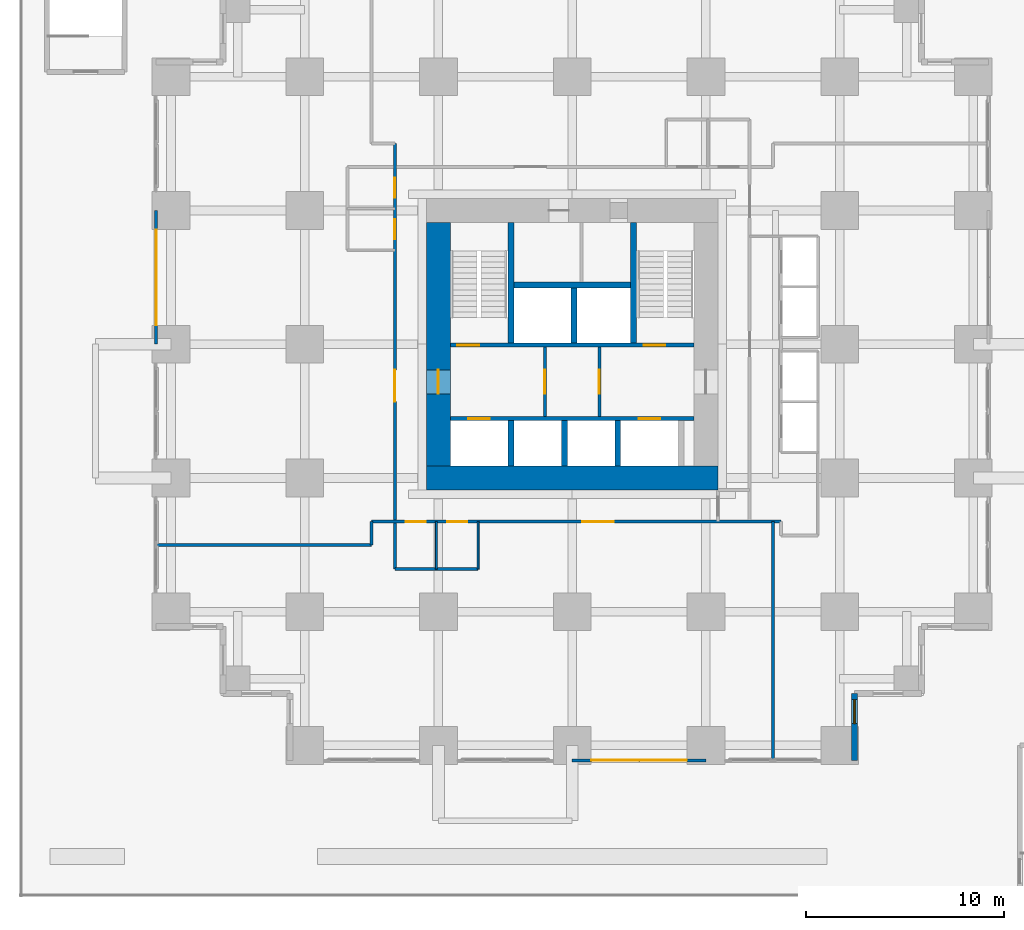
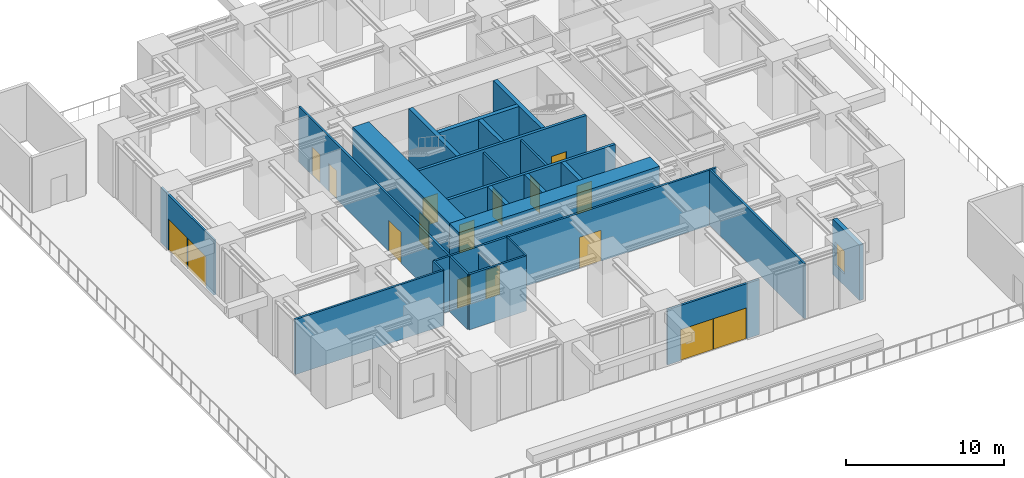
# One storey, part 5 of 9: 24 walls, 17 doors, 1 window, 18 openings.
"""IFC4 building model written with IfcOpenShell, lengths in metres."""

from ifc_helpers import new_model, si_unit, direction, frame, frame_2d, origin, place, context, subcontext, project, spatial, rectangle, extrude, material, layer, layer_set, type_object, element, fill, save


model = new_model("IFC4")

# Units and contexts
model_context = context("Model", 3, precision=1e-05, world=origin(), true_north=direction((0.0, 1.0)))
body_context = subcontext(model_context, "Body", "Model", "MODEL_VIEW")
ifc_project = project(units=[si_unit("LENGTHUNIT", "METRE"), si_unit("AREAUNIT", "SQUARE_METRE"), si_unit("VOLUMEUNIT", "CUBIC_METRE"), si_unit("PLANEANGLEUNIT", "RADIAN"), si_unit("MASSUNIT", "GRAM", prefix="KILO")], contexts=[model_context])

# Site, building, storey
site_placement = place(None, origin())
site = spatial("IfcSite", under=ifc_project, at=site_placement, CompositionType="ELEMENT")
building_placement = place(site_placement, origin())
building = spatial("IfcBuilding", under=site, at=building_placement, Name="Nyansa Garden Tower", CompositionType="ELEMENT")
storey_placement = place(building_placement, frame((0.0, 0.0, 13.5)))
storey = spatial("IfcBuildingStorey", under=building, at=storey_placement, Name="L03", CompositionType="ELEMENT", Elevation=13.5)

# Wall, openings, doors
ifc_material_1 = material(Name="Black aluminium framed glazed screen", Category="aluminium")
ifc_layer_1 = layer(ifc_material_1, 0.14990234375)
ifc_layer_set_1 = layer_set([ifc_layer_1], Name="Balcony screen wall BW150")
wall_type_1 = type_object("IfcWallType", Name="Balcony screen wall BW150", PredefinedType="SOLIDWALL", material=ifc_layer_set_1)
wall_1_placement = place(storey_placement, frame((-0.75, 20.25, 0.0), z_axis=(0.0, 0.0, 1.0), x_axis=(0.0, 1.0, 0.0)))
wall_1 = element("IfcWall", 1, at=wall_1_placement, inside=storey, type_object=wall_type_1, Name="Glazed screen wall L03 W", PredefinedType="SOLIDWALL", context=body_context, shape_type="SweptSolid", body=[
    extrude(rectangle(XDim=6.75, YDim=0.14990234375, at=frame_2d((3.375, 0.0))), origin(), (0.0, 0.0, 1.0), 4.27490234375),
])
opening_1_placement = place(wall_1_placement, frame((0.96240234375, 0.0, 0.0)))
opening_1 = element("IfcOpeningElement", 2, at=opening_1_placement, cuts=wall_1, Name="Opening D21", PredefinedType="OPENING", context=body_context, shape_type="SweptSolid", body=[
    extrude(rectangle(XDim=2.39990234375, YDim=2.39990234375, at=frame_2d((1.199951171875, 1.199951171875))), frame((0.0, 0.0849609375, 0.0), z_axis=(0.0, -1.0, 0.0), x_axis=(1.0, 0.0, 0.0)), (0.0, 0.0, 1.0), 0.169921875),
])
opening_2_placement = place(wall_1_placement, frame((3.387451171875, 0.0, 0.0)))
opening_2 = element("IfcOpeningElement", 3, at=opening_2_placement, cuts=wall_1, Name="Opening D21", PredefinedType="OPENING", context=body_context, shape_type="SweptSolid", body=[
    extrude(rectangle(XDim=2.39990234375, YDim=2.39990234375, at=frame_2d((1.199951171875, 1.199951171875))), frame((0.0, 0.0849609375, 0.0), z_axis=(0.0, -1.0, 0.0), x_axis=(1.0, 0.0, 0.0)), (0.0, 0.0, 1.0), 0.169921875),
])
ifc_material_2 = material(Name="Black aluminium framed glazed sliding door", Category="aluminium")
door_type_1 = type_object("IfcDoorType", Name="Terrace sliding door D21 2400x2400", OperationType="SLIDING_TO_LEFT", PredefinedType="DOOR", material=ifc_material_2)
door_1_placement = place(opening_1_placement, origin())
door_1 = element("IfcDoor", 4, at=door_1_placement, inside=storey, type_object=door_type_1, Name="Terrace door L03", OperationType="SLIDING_TO_LEFT", OverallHeight=2.39990234375, OverallWidth=2.39990234375, PredefinedType="DOOR", context=body_context, shape_type="SweptSolid", body=[
    extrude(rectangle(XDim=2.39990234375, YDim=2.39990234375, at=frame_2d((1.199951171875, 1.199951171875))), frame((0.0, 0.02490234375, 0.0), z_axis=(0.0, -1.0, 0.0), x_axis=(1.0, 0.0, 0.0)), (0.0, 0.0, 1.0), 0.050048828125),
])
fill(opening_1, door_1)
door_2_placement = place(opening_2_placement, origin())
door_2 = element("IfcDoor", 5, at=door_2_placement, inside=storey, type_object=door_type_1, Name="Terrace door L03", OperationType="SLIDING_TO_LEFT", OverallHeight=2.39990234375, OverallWidth=2.39990234375, PredefinedType="DOOR", context=body_context, shape_type="SweptSolid", body=[
    extrude(rectangle(XDim=2.39990234375, YDim=2.39990234375, at=frame_2d((1.199951171875, 1.199951171875))), frame((0.0, 0.02490234375, 0.0), z_axis=(0.0, -1.0, 0.0), x_axis=(1.0, 0.0, 0.0)), (0.0, 0.0, 1.0), 0.050048828125),
])
fill(opening_2, door_2)

wall_2_placement = place(storey_placement, frame((27.0, -0.75, 0.0), z_axis=(0.0, 0.0, 1.0), x_axis=(-1.0, 0.0, 0.0)))
wall_2 = element("IfcWall", 6, at=wall_2_placement, inside=storey, type_object=wall_type_1, Name="Glazed screen wall L03 S", PredefinedType="SOLIDWALL", context=body_context, shape_type="SweptSolid", body=[
    extrude(rectangle(XDim=6.75, YDim=0.14990234375, at=frame_2d((3.375, 0.0))), origin(), (0.0, 0.0, 1.0), 4.27490234375),
])
opening_3_placement = place(wall_2_placement, frame((0.96240234375, 0.0, 0.0)))
opening_3 = element("IfcOpeningElement", 7, at=opening_3_placement, cuts=wall_2, Name="Opening D21", PredefinedType="OPENING", context=body_context, shape_type="SweptSolid", body=[
    extrude(rectangle(XDim=2.39990234375, YDim=2.39990234375, at=frame_2d((1.199951171875, 1.199951171875))), frame((0.0, 0.0849609375, 0.0), z_axis=(0.0, -1.0, 0.0), x_axis=(1.0, 0.0, 0.0)), (0.0, 0.0, 1.0), 0.169921875),
])
opening_4_placement = place(wall_2_placement, frame((3.387451171875, 0.0, 0.0)))
opening_4 = element("IfcOpeningElement", 8, at=opening_4_placement, cuts=wall_2, Name="Opening D21", PredefinedType="OPENING", context=body_context, shape_type="SweptSolid", body=[
    extrude(rectangle(XDim=2.39990234375, YDim=2.39990234375, at=frame_2d((1.199951171875, 1.199951171875))), frame((0.0, 0.0849609375, 0.0), z_axis=(0.0, -1.0, 0.0), x_axis=(1.0, 0.0, 0.0)), (0.0, 0.0, 1.0), 0.169921875),
])
door_3_placement = place(opening_3_placement, origin())
door_3 = element("IfcDoor", 9, at=door_3_placement, inside=storey, type_object=door_type_1, Name="Terrace door L03", OperationType="SLIDING_TO_LEFT", OverallHeight=2.39990234375, OverallWidth=2.39990234375, PredefinedType="DOOR", context=body_context, shape_type="SweptSolid", body=[
    extrude(rectangle(XDim=2.39990234375, YDim=2.39990234375, at=frame_2d((1.199951171875, 1.199951171875))), frame((0.0, 0.02490234375, 0.0), z_axis=(0.0, -1.0, 0.0), x_axis=(1.0, 0.0, 0.0)), (0.0, 0.0, 1.0), 0.050048828125),
])
fill(opening_3, door_3)
door_4_placement = place(opening_4_placement, origin())
door_4 = element("IfcDoor", 10, at=door_4_placement, inside=storey, type_object=door_type_1, Name="Terrace door L03", OperationType="SLIDING_TO_LEFT", OverallHeight=2.39990234375, OverallWidth=2.39990234375, PredefinedType="DOOR", context=body_context, shape_type="SweptSolid", body=[
    extrude(rectangle(XDim=2.39990234375, YDim=2.39990234375, at=frame_2d((1.199951171875, 1.199951171875))), frame((0.0, 0.02490234375, 0.0), z_axis=(0.0, -1.0, 0.0), x_axis=(1.0, 0.0, 0.0)), (0.0, 0.0, 1.0), 0.050048828125),
])
fill(opening_4, door_4)

ifc_material_3 = material(Name="Concrete C70/85", Category="concrete")
ifc_layer_2 = layer(ifc_material_3, 0.199951171875)
ifc_layer_set_2 = layer_set([ifc_layer_2], Name="Core inner wall CI200")
wall_type_2 = type_object("IfcWallType", Name="Core inner wall CI200", PredefinedType="SHEAR", material=ifc_layer_set_2)
wall_3_placement = place(storey_placement, frame((14.10009765625, 16.5, 0.0), z_axis=(0.0, 0.0, 1.0), x_axis=(1.0, 0.0, 0.0)))
wall_3 = element("IfcWall", 11, at=wall_3_placement, inside=storey, type_object=wall_type_2, Name="Core inner wall L03", PredefinedType="SHEAR", context=body_context, shape_type="SweptSolid", body=[
    extrude(rectangle(XDim=12.2998046875, YDim=0.199951171875, at=frame_2d((6.14990234375, 0.0))), origin(), (0.0, 0.0, 1.0), 4.5),
])
opening_5_placement = place(wall_3_placement, frame((0.89990234375, 0.0, 0.0)))
opening_5 = element("IfcOpeningElement", 12, at=opening_5_placement, cuts=wall_3, Name="Opening LD-F", PredefinedType="OPENING", context=body_context, shape_type="SweptSolid", body=[
    extrude(rectangle(XDim=1.10009765625, YDim=2.199951171875, at=frame_2d((0.550048828125, 1.10009765625))), frame((0.0, 0.10986328125, 0.0), z_axis=(0.0, -1.0, 0.0), x_axis=(1.0, 0.0, 0.0)), (0.0, 0.0, 1.0), 0.219970703125),
])
opening_6_placement = place(wall_3_placement, frame((9.5, 0.0, 0.0)))
opening_6 = element("IfcOpeningElement", 13, at=opening_6_placement, cuts=wall_3, Name="Opening LD-F", PredefinedType="OPENING", context=body_context, shape_type="SweptSolid", body=[
    extrude(rectangle(XDim=1.10009765625, YDim=2.199951171875, at=frame_2d((0.550048828125, 1.10009765625))), frame((0.0, 0.10986328125, 0.0), z_axis=(0.0, -1.0, 0.0), x_axis=(1.0, 0.0, 0.0)), (0.0, 0.0, 1.0), 0.219970703125),
])
ifc_material_4 = material(Name="Stainless steel centre-opening landing door of the firefighting lift, EN 81-72, E 120", Category="steel")
door_type_2 = type_object("IfcDoorType", Name="Lift landing door LD-F 1100x2200", OperationType="DOUBLE_DOOR_SLIDING", PredefinedType="DOOR", material=ifc_material_4)
door_5_placement = place(opening_5_placement, origin())
door_5 = element("IfcDoor", 14, at=door_5_placement, inside=storey, type_object=door_type_2, Name="Landing door FF1", OperationType="DOUBLE_DOOR_SLIDING", OverallHeight=2.199951171875, OverallWidth=1.10009765625, PredefinedType="DOOR", context=body_context, shape_type="SweptSolid", body=[
    extrude(rectangle(XDim=1.10009765625, YDim=2.199951171875, at=frame_2d((0.550048828125, 1.10009765625))), frame((0.0, 0.02490234375, 0.0), z_axis=(0.0, -1.0, 0.0), x_axis=(1.0, 0.0, 0.0)), (0.0, 0.0, 1.0), 0.050048828125),
])
fill(opening_5, door_5)
door_6_placement = place(opening_6_placement, origin())
door_6 = element("IfcDoor", 15, at=door_6_placement, inside=storey, type_object=door_type_2, Name="Landing door FF2", OperationType="DOUBLE_DOOR_SLIDING", OverallHeight=2.199951171875, OverallWidth=1.10009765625, PredefinedType="DOOR", context=body_context, shape_type="SweptSolid", body=[
    extrude(rectangle(XDim=1.10009765625, YDim=2.199951171875, at=frame_2d((0.550048828125, 1.10009765625))), frame((0.0, 0.02490234375, 0.0), z_axis=(0.0, -1.0, 0.0), x_axis=(1.0, 0.0, 0.0)), (0.0, 0.0, 1.0), 0.050048828125),
])
fill(opening_6, door_6)

wall_4_placement = place(storey_placement, frame((14.10009765625, 20.199951171875, 0.0), z_axis=(0.0, 0.0, 1.0), x_axis=(1.0, 0.0, 0.0)))
wall_4 = element("IfcWall", 16, at=wall_4_placement, inside=storey, type_object=wall_type_2, Name="Core inner wall L03", PredefinedType="SHEAR", context=body_context, shape_type="SweptSolid", body=[
    extrude(rectangle(XDim=12.2998046875, YDim=0.199951171875, at=frame_2d((6.14990234375, 0.0))), origin(), (0.0, 0.0, 1.0), 4.5),
])
opening_7_placement = place(wall_4_placement, frame((0.35009765625, 0.0, 0.0)))
opening_7 = element("IfcOpeningElement", 17, at=opening_7_placement, cuts=wall_4, Name="Opening D05", PredefinedType="OPENING", context=body_context, shape_type="SweptSolid", body=[
    extrude(rectangle(XDim=1.10009765625, YDim=2.199951171875, at=frame_2d((0.550048828125, 1.10009765625))), frame((0.0, 0.10986328125, 0.0), z_axis=(0.0, -1.0, 0.0), x_axis=(1.0, 0.0, 0.0)), (0.0, 0.0, 1.0), 0.219970703125),
])
opening_8_placement = place(wall_4_placement, frame((9.75, 0.0, 0.0)))
opening_8 = element("IfcOpeningElement", 18, at=opening_8_placement, cuts=wall_4, Name="Opening D05", PredefinedType="OPENING", context=body_context, shape_type="SweptSolid", body=[
    extrude(rectangle(XDim=1.10009765625, YDim=2.199951171875, at=frame_2d((0.550048828125, 1.10009765625))), frame((0.0, 0.10986328125, 0.0), z_axis=(0.0, -1.0, 0.0), x_axis=(1.0, 0.0, 0.0)), (0.0, 0.0, 1.0), 0.219970703125),
])
ifc_material_5 = material(Name="Steel door, 120 minute fire resisting", Category="steel")
door_type_3 = type_object("IfcDoorType", Name="Stair door D05 1100x2200", OperationType="SINGLE_SWING_LEFT", PredefinedType="DOOR", material=ifc_material_5)
door_7_placement = place(opening_7_placement, origin())
door_7 = element("IfcDoor", 19, at=door_7_placement, inside=storey, type_object=door_type_3, Name="Stair S1 door", OperationType="SINGLE_SWING_LEFT", OverallHeight=2.199951171875, OverallWidth=1.10009765625, PredefinedType="DOOR", context=body_context, shape_type="SweptSolid", body=[
    extrude(rectangle(XDim=1.10009765625, YDim=2.199951171875, at=frame_2d((0.550048828125, 1.10009765625))), frame((0.0, 0.02490234375, 0.0), z_axis=(0.0, -1.0, 0.0), x_axis=(1.0, 0.0, 0.0)), (0.0, 0.0, 1.0), 0.050048828125),
])
fill(opening_7, door_7)
door_8_placement = place(opening_8_placement, origin())
door_8 = element("IfcDoor", 20, at=door_8_placement, inside=storey, type_object=door_type_3, Name="Stair S2 door", OperationType="SINGLE_SWING_LEFT", OverallHeight=2.199951171875, OverallWidth=1.10009765625, PredefinedType="DOOR", context=body_context, shape_type="SweptSolid", body=[
    extrude(rectangle(XDim=1.10009765625, YDim=2.199951171875, at=frame_2d((0.550048828125, 1.10009765625))), frame((0.0, 0.02490234375, 0.0), z_axis=(0.0, -1.0, 0.0), x_axis=(1.0, 0.0, 0.0)), (0.0, 0.0, 1.0), 0.050048828125),
])
fill(opening_8, door_8)

# Walls
ifc_material_6 = material(Name="Concrete C70/85", Category="concrete")
ifc_layer_3 = layer(ifc_material_6, 0.300048828125)
ifc_layer_set_3 = layer_set([ifc_layer_3], Name="Core inner wall CI300")
wall_type_3 = type_object("IfcWallType", Name="Core inner wall CI300", PredefinedType="SHEAR", material=ifc_layer_set_3)
for number, where, z_axis, x_axis, name in (
    (21, (17.14990234375, 20.300048828125, 0.0), (0.0, 0.0, 1.0), (0.0, 1.0, 0.0), "Core inner wall L03"),
    (22, (23.35009765625, 20.300048828125, 0.0), (0.0, 0.0, 1.0), (0.0, 1.0, 0.0), "Core inner wall L03"),
):
    element("IfcWall", number, at=place(storey_placement, frame(where, z_axis=z_axis, x_axis=x_axis)), inside=storey, type_object=wall_type_3, Name=name, PredefinedType="SHEAR", context=body_context, shape_type="SweptSolid", body=[
        extrude(rectangle(XDim=6.099853515625, YDim=0.300048828125, at=frame_2d((3.0498046875, 0.0))), origin(), (0.0, 0.0, 1.0), 4.5),
    ])
wall_5_placement = place(storey_placement, frame((20.35009765625, 20.300048828125, 0.0), z_axis=(0.0, 0.0, 1.0), x_axis=(0.0, 1.0, 0.0)))
element("IfcWall", 23, at=wall_5_placement, inside=storey, type_object=wall_type_3, Name="Core inner wall L03", PredefinedType="SHEAR", context=body_context, shape_type="SweptSolid", body=[
    extrude(rectangle(XDim=2.800048828125, YDim=0.300048828125, at=frame_2d((1.39990234375, 0.0))), origin(), (0.0, 0.0, 1.0), 4.5),
])
wall_6_placement = place(storey_placement, frame((17.300048828125, 23.25, 0.0), z_axis=(0.0, 0.0, 1.0), x_axis=(1.0, 0.0, 0.0)))
element("IfcWall", 24, at=wall_6_placement, inside=storey, type_object=wall_type_3, Name="Core inner wall L03", PredefinedType="SHEAR", context=body_context, shape_type="SweptSolid", body=[
    extrude(rectangle(XDim=5.89990234375, YDim=0.300048828125, at=frame_2d((2.949951171875, 0.0))), origin(), (0.0, 0.0, 1.0), 4.5),
])
for number, where, z_axis, x_axis, name in (
    (25, (17.14990234375, 14.10009765625, 0.0), (0.0, 0.0, 1.0), (0.0, 1.0, 0.0), "Core inner wall L03"),
    (26, (19.85009765625, 14.10009765625, 0.0), (0.0, 0.0, 1.0), (0.0, 1.0, 0.0), "Core inner wall L03"),
    (27, (22.550048828125, 14.10009765625, 0.0), (0.0, 0.0, 1.0), (0.0, 1.0, 0.0), "Core inner wall L03"),
):
    element("IfcWall", number, at=place(storey_placement, frame(where, z_axis=z_axis, x_axis=x_axis)), inside=storey, type_object=wall_type_3, Name=name, PredefinedType="SHEAR", context=body_context, shape_type="SweptSolid", body=[
        extrude(rectangle(XDim=2.2998046875, YDim=0.300048828125, at=frame_2d((1.14990234375, 0.0))), origin(), (0.0, 0.0, 1.0), 4.5),
    ])
ifc_material_7 = material(Name="Concrete C80/95", Category="concrete")
ifc_layer_4 = layer(ifc_material_7, 1.199951171875)
ifc_layer_set_4 = layer_set([ifc_layer_4], Name="Core wall CW1200")
wall_type_4 = type_object("IfcWallType", Name="Core wall CW1200", PredefinedType="SHEAR", material=ifc_layer_set_4)
wall_7_placement = place(storey_placement, frame((12.89990234375, 13.5, 0.0), z_axis=(0.0, 0.0, 1.0), x_axis=(1.0, 0.0, 0.0)))
element("IfcWall", 28, at=wall_7_placement, inside=storey, type_object=wall_type_4, Name="Core wall S L03", PredefinedType="SHEAR", context=body_context, shape_type="SweptSolid", body=[
    extrude(rectangle(XDim=14.7001953125, YDim=1.199951171875, at=frame_2d((7.35009765625, 0.0))), origin(), (0.0, 0.0, 1.0), 4.5),
])

# Wall, opening, door
wall_8_placement = place(storey_placement, frame((13.5, 26.39990234375, 0.0), z_axis=(0.0, 0.0, 1.0), x_axis=(0.0, -1.0, 0.0)))
wall_8 = element("IfcWall", 29, at=wall_8_placement, inside=storey, type_object=wall_type_4, Name="Core wall W L03", PredefinedType="SHEAR", context=body_context, shape_type="SweptSolid", body=[
    extrude(rectangle(XDim=12.2998046875, YDim=1.199951171875, at=frame_2d((6.14990234375, 0.0))), origin(), (0.0, 0.0, 1.0), 4.5),
])
opening_9_placement = place(wall_8_placement, frame((7.449951171875, 0.0, 0.0)))
opening_9 = element("IfcOpeningElement", 30, at=opening_9_placement, cuts=wall_8, Name="Opening D06", PredefinedType="OPENING", context=body_context, shape_type="SweptSolid", body=[
    extrude(rectangle(XDim=1.199951171875, YDim=2.199951171875, at=frame_2d((0.60009765625, 1.10009765625))), frame((0.0, 0.60986328125, 0.0), z_axis=(0.0, -1.0, 0.0), x_axis=(1.0, 0.0, 0.0)), (0.0, 0.0, 1.0), 1.219970703125),
])
ifc_material_8 = material(Name="Steel door, 120 minute fire resisting", Category="steel")
door_type_4 = type_object("IfcDoorType", Name="Lobby door D06 1200x2200", OperationType="DOUBLE_DOOR_SINGLE_SWING", PredefinedType="DOOR", material=ifc_material_8)
door_9_placement = place(opening_9_placement, origin())
door_9 = element("IfcDoor", 31, at=door_9_placement, inside=storey, type_object=door_type_4, Name="Lift lobby door west", OperationType="DOUBLE_DOOR_SINGLE_SWING", OverallHeight=2.199951171875, OverallWidth=1.199951171875, PredefinedType="DOOR", context=body_context, shape_type="SweptSolid", body=[
    extrude(rectangle(XDim=1.199951171875, YDim=2.199951171875, at=frame_2d((0.60009765625, 1.10009765625))), frame((0.0, 0.02490234375, 0.0), z_axis=(0.0, -1.0, 0.0), x_axis=(1.0, 0.0, 0.0)), (0.0, 0.0, 1.0), 0.050048828125),
])
fill(opening_9, door_9)

ifc_material_9 = material(Name="Blockwork, plastered both sides", Category="masonry")
ifc_layer_5 = layer(ifc_material_9, 0.14990234375)
ifc_layer_set_5 = layer_set([ifc_layer_5], Name="Partition PW150")
wall_type_5 = type_object("IfcWallType", Name="Partition PW150", PredefinedType="PARTITIONING", material=ifc_layer_set_5)
wall_9_placement = place(storey_placement, frame((18.875, 16.60009765625, 0.0), z_axis=(0.0, 0.0, 1.0), x_axis=(0.0, 1.0, 0.0)))
wall_9 = element("IfcWall", 32, at=wall_9_placement, inside=storey, type_object=wall_type_5, Name="Partition", PredefinedType="PARTITIONING", context=body_context, shape_type="SweptSolid", body=[
    extrude(rectangle(XDim=3.5, YDim=0.14990234375, at=frame_2d((1.75, 0.0))), origin(), (0.0, 0.0, 1.0), 4.27490234375),
])
opening_10_placement = place(wall_9_placement, frame((1.14990234375, 0.0, 0.0)))
opening_10 = element("IfcOpeningElement", 33, at=opening_10_placement, cuts=wall_9, Name="Opening D06", PredefinedType="OPENING", context=body_context, shape_type="SweptSolid", body=[
    extrude(rectangle(XDim=1.199951171875, YDim=2.199951171875, at=frame_2d((0.60009765625, 1.10009765625))), frame((0.0, 0.0849609375, 0.0), z_axis=(0.0, -1.0, 0.0), x_axis=(1.0, 0.0, 0.0)), (0.0, 0.0, 1.0), 0.169921875),
])
door_10_placement = place(opening_10_placement, origin())
door_10 = element("IfcDoor", 34, at=door_10_placement, inside=storey, type_object=door_type_4, Name="Passenger lift lobby door", OperationType="DOUBLE_DOOR_SINGLE_SWING", OverallHeight=2.199951171875, OverallWidth=1.199951171875, PredefinedType="DOOR", context=body_context, shape_type="SweptSolid", body=[
    extrude(rectangle(XDim=1.199951171875, YDim=2.199951171875, at=frame_2d((0.60009765625, 1.10009765625))), frame((0.0, 0.02490234375, 0.0), z_axis=(0.0, -1.0, 0.0), x_axis=(1.0, 0.0, 0.0)), (0.0, 0.0, 1.0), 0.050048828125),
])
fill(opening_10, door_10)

wall_10_placement = place(storey_placement, frame((21.625, 16.60009765625, 0.0), z_axis=(0.0, 0.0, 1.0), x_axis=(0.0, 1.0, 0.0)))
wall_10 = element("IfcWall", 35, at=wall_10_placement, inside=storey, type_object=wall_type_5, Name="Partition", PredefinedType="PARTITIONING", context=body_context, shape_type="SweptSolid", body=[
    extrude(rectangle(XDim=3.5, YDim=0.14990234375, at=frame_2d((1.75, 0.0))), origin(), (0.0, 0.0, 1.0), 4.27490234375),
])
opening_11_placement = place(wall_10_placement, frame((1.14990234375, 0.0, 0.0)))
opening_11 = element("IfcOpeningElement", 36, at=opening_11_placement, cuts=wall_10, Name="Opening D06", PredefinedType="OPENING", context=body_context, shape_type="SweptSolid", body=[
    extrude(rectangle(XDim=1.199951171875, YDim=2.199951171875, at=frame_2d((0.60009765625, 1.10009765625))), frame((0.0, 0.0849609375, 0.0), z_axis=(0.0, -1.0, 0.0), x_axis=(1.0, 0.0, 0.0)), (0.0, 0.0, 1.0), 0.169921875),
])
door_11_placement = place(opening_11_placement, origin())
door_11 = element("IfcDoor", 37, at=door_11_placement, inside=storey, type_object=door_type_4, Name="Passenger lift lobby door", OperationType="DOUBLE_DOOR_SINGLE_SWING", OverallHeight=2.199951171875, OverallWidth=1.199951171875, PredefinedType="DOOR", context=body_context, shape_type="SweptSolid", body=[
    extrude(rectangle(XDim=1.199951171875, YDim=2.199951171875, at=frame_2d((0.60009765625, 1.10009765625))), frame((0.0, 0.02490234375, 0.0), z_axis=(0.0, -1.0, 0.0), x_axis=(1.0, 0.0, 0.0)), (0.0, 0.0, 1.0), 0.050048828125),
])
fill(opening_11, door_11)

# Walls
wall_11_placement = place(storey_placement, frame((-0.73388671875, 10.125, 0.0), z_axis=(0.0, 0.0, 1.0), x_axis=(1.0, 0.0, 0.0)))
element("IfcWall", 38, at=wall_11_placement, inside=storey, type_object=wall_type_5, Name="Partition", PredefinedType="PARTITIONING", context=body_context, shape_type="SweptSolid", body=[
    extrude(rectangle(XDim=10.85888671875, YDim=0.14990234375, at=frame_2d((5.429443359375, 0.0))), origin(), (0.0, 0.0, 1.0), 4.27490234375),
])
wall_12_placement = place(storey_placement, frame((10.125, 10.125, 0.0), z_axis=(0.0, 0.0, 1.0), x_axis=(0.0, 1.0, 0.0)))
element("IfcWall", 39, at=wall_12_placement, inside=storey, type_object=wall_type_5, Name="Partition", PredefinedType="PARTITIONING", context=body_context, shape_type="SweptSolid", body=[
    extrude(rectangle(XDim=1.175048828125, YDim=0.14990234375, at=frame_2d((0.58740234375, 0.0))), origin(), (0.0, 0.0, 1.0), 4.27490234375),
])

# Wall, openings, doors
wall_13_placement = place(storey_placement, frame((10.125, 11.300048828125, 0.0), z_axis=(0.0, 0.0, 1.0), x_axis=(1.0, 0.0, 0.0)))
wall_13 = element("IfcWall", 40, at=wall_13_placement, inside=storey, type_object=wall_type_5, Name="Partition", PredefinedType="PARTITIONING", context=body_context, shape_type="SweptSolid", body=[
    extrude(rectangle(XDim=20.675048828125, YDim=0.14990234375, at=frame_2d((10.33740234375, 0.0))), origin(), (0.0, 0.0, 1.0), 4.27490234375),
])
opening_12_placement = place(wall_13_placement, frame((1.72509765625, 0.0, 0.0)))
opening_12 = element("IfcOpeningElement", 41, at=opening_12_placement, cuts=wall_13, Name="Opening D08", PredefinedType="OPENING", context=body_context, shape_type="SweptSolid", body=[
    extrude(rectangle(XDim=1.0, YDim=2.199951171875, at=frame_2d((0.5, 1.10009765625))), frame((0.0, 0.0849609375, 0.0), z_axis=(0.0, -1.0, 0.0), x_axis=(1.0, 0.0, 0.0)), (0.0, 0.0, 1.0), 0.169921875),
])
opening_13_placement = place(wall_13_placement, frame((3.824951171875, 0.0, 0.0)))
opening_13 = element("IfcOpeningElement", 42, at=opening_13_placement, cuts=wall_13, Name="Opening D08", PredefinedType="OPENING", context=body_context, shape_type="SweptSolid", body=[
    extrude(rectangle(XDim=1.0, YDim=2.199951171875, at=frame_2d((0.5, 1.10009765625))), frame((0.0, 0.0849609375, 0.0), z_axis=(0.0, -1.0, 0.0), x_axis=(1.0, 0.0, 0.0)), (0.0, 0.0, 1.0), 0.169921875),
])
opening_14_placement = place(wall_13_placement, frame((10.625, 0.0, 0.0)))
opening_14 = element("IfcOpeningElement", 43, at=opening_14_placement, cuts=wall_13, Name="Opening D12", PredefinedType="OPENING", context=body_context, shape_type="SweptSolid", body=[
    extrude(rectangle(XDim=1.60009765625, YDim=2.39990234375, at=frame_2d((0.800048828125, 1.199951171875))), frame((0.0, 0.0849609375, 0.0), z_axis=(0.0, -1.0, 0.0), x_axis=(1.0, 0.0, 0.0)), (0.0, 0.0, 1.0), 0.169921875),
])
ifc_material_10 = material(Name="Timber flush door, outward opening", Category="wood")
door_type_5 = type_object("IfcDoorType", Name="Accessible WC door D08 1000x2200", OperationType="SINGLE_SWING_LEFT", PredefinedType="DOOR", material=ifc_material_10)
door_12_placement = place(opening_12_placement, origin())
door_12 = element("IfcDoor", 44, at=door_12_placement, inside=storey, type_object=door_type_5, Name="Door L03-017", OperationType="SINGLE_SWING_LEFT", OverallHeight=2.199951171875, OverallWidth=1.0, PredefinedType="DOOR", context=body_context, shape_type="SweptSolid", body=[
    extrude(rectangle(XDim=1.0, YDim=2.199951171875, at=frame_2d((0.5, 1.10009765625))), frame((0.0, 0.02490234375, 0.0), z_axis=(0.0, -1.0, 0.0), x_axis=(1.0, 0.0, 0.0)), (0.0, 0.0, 1.0), 0.050048828125),
])
fill(opening_12, door_12)
door_13_placement = place(opening_13_placement, origin())
door_13 = element("IfcDoor", 45, at=door_13_placement, inside=storey, type_object=door_type_5, Name="Door L03-018", OperationType="SINGLE_SWING_LEFT", OverallHeight=2.199951171875, OverallWidth=1.0, PredefinedType="DOOR", context=body_context, shape_type="SweptSolid", body=[
    extrude(rectangle(XDim=1.0, YDim=2.199951171875, at=frame_2d((0.5, 1.10009765625))), frame((0.0, 0.02490234375, 0.0), z_axis=(0.0, -1.0, 0.0), x_axis=(1.0, 0.0, 0.0)), (0.0, 0.0, 1.0), 0.050048828125),
])
fill(opening_13, door_13)
ifc_material_11 = material(Name="Black aluminium glazed door, 60 minute fire resisting", Category="aluminium")
door_type_6 = type_object("IfcDoorType", Name="Amenity door D12 1600x2400", OperationType="DOUBLE_DOOR_SINGLE_SWING", PredefinedType="DOOR", material=ifc_material_11)
door_14_placement = place(opening_14_placement, origin())
door_14 = element("IfcDoor", 46, at=door_14_placement, inside=storey, type_object=door_type_6, Name="Door L03-019", OperationType="DOUBLE_DOOR_SINGLE_SWING", OverallHeight=2.39990234375, OverallWidth=1.60009765625, PredefinedType="DOOR", context=body_context, shape_type="SweptSolid", body=[
    extrude(rectangle(XDim=1.60009765625, YDim=2.39990234375, at=frame_2d((0.800048828125, 1.199951171875))), frame((0.0, 0.02490234375, 0.0), z_axis=(0.0, -1.0, 0.0), x_axis=(1.0, 0.0, 0.0)), (0.0, 0.0, 1.0), 0.050048828125),
])
fill(opening_14, door_14)

wall_14_placement = place(storey_placement, frame((11.300048828125, 8.89990234375, 0.0), z_axis=(0.0, 0.0, 1.0), x_axis=(0.0, 1.0, 0.0)))
wall_14 = element("IfcWall", 47, at=wall_14_placement, inside=storey, type_object=wall_type_5, Name="Partition", PredefinedType="PARTITIONING", context=body_context, shape_type="SweptSolid", body=[
    extrude(rectangle(XDim=21.47509765625, YDim=0.14990234375, at=frame_2d((10.737548828125, 0.0))), origin(), (0.0, 0.0, 1.0), 4.27490234375),
])
opening_15_placement = place(wall_14_placement, frame((16.64990234375, 0.0, 0.0)))
opening_15 = element("IfcOpeningElement", 48, at=opening_15_placement, cuts=wall_14, Name="Opening D08", PredefinedType="OPENING", context=body_context, shape_type="SweptSolid", body=[
    extrude(rectangle(XDim=1.0, YDim=2.199951171875, at=frame_2d((0.5, 1.10009765625))), frame((0.0, 0.0849609375, 0.0), z_axis=(0.0, -1.0, 0.0), x_axis=(1.0, 0.0, 0.0)), (0.0, 0.0, 1.0), 0.169921875),
])
opening_16_placement = place(wall_14_placement, frame((18.75, 0.0, 0.0)))
opening_16 = element("IfcOpeningElement", 49, at=opening_16_placement, cuts=wall_14, Name="Opening D08", PredefinedType="OPENING", context=body_context, shape_type="SweptSolid", body=[
    extrude(rectangle(XDim=1.0, YDim=2.199951171875, at=frame_2d((0.5, 1.10009765625))), frame((0.0, 0.0849609375, 0.0), z_axis=(0.0, -1.0, 0.0), x_axis=(1.0, 0.0, 0.0)), (0.0, 0.0, 1.0), 0.169921875),
])
opening_17_placement = place(wall_14_placement, frame((8.449951171875, 0.0, 0.0)))
opening_17 = element("IfcOpeningElement", 50, at=opening_17_placement, cuts=wall_14, Name="Opening D12", PredefinedType="OPENING", context=body_context, shape_type="SweptSolid", body=[
    extrude(rectangle(XDim=1.60009765625, YDim=2.39990234375, at=frame_2d((0.800048828125, 1.199951171875))), frame((0.0, 0.0849609375, 0.0), z_axis=(0.0, -1.0, 0.0), x_axis=(1.0, 0.0, 0.0)), (0.0, 0.0, 1.0), 0.169921875),
])
door_15_placement = place(opening_15_placement, origin())
door_15 = element("IfcDoor", 51, at=door_15_placement, inside=storey, type_object=door_type_5, Name="Door L03-026", OperationType="SINGLE_SWING_LEFT", OverallHeight=2.199951171875, OverallWidth=1.0, PredefinedType="DOOR", context=body_context, shape_type="SweptSolid", body=[
    extrude(rectangle(XDim=1.0, YDim=2.199951171875, at=frame_2d((0.5, 1.10009765625))), frame((0.0, 0.02490234375, 0.0), z_axis=(0.0, -1.0, 0.0), x_axis=(1.0, 0.0, 0.0)), (0.0, 0.0, 1.0), 0.050048828125),
])
fill(opening_15, door_15)
door_16_placement = place(opening_16_placement, origin())
door_16 = element("IfcDoor", 52, at=door_16_placement, inside=storey, type_object=door_type_5, Name="Door L03-027", OperationType="SINGLE_SWING_LEFT", OverallHeight=2.199951171875, OverallWidth=1.0, PredefinedType="DOOR", context=body_context, shape_type="SweptSolid", body=[
    extrude(rectangle(XDim=1.0, YDim=2.199951171875, at=frame_2d((0.5, 1.10009765625))), frame((0.0, 0.02490234375, 0.0), z_axis=(0.0, -1.0, 0.0), x_axis=(1.0, 0.0, 0.0)), (0.0, 0.0, 1.0), 0.050048828125),
])
fill(opening_16, door_16)
door_17_placement = place(opening_17_placement, origin())
door_17 = element("IfcDoor", 53, at=door_17_placement, inside=storey, type_object=door_type_6, Name="Door L03-028", OperationType="DOUBLE_DOOR_SINGLE_SWING", OverallHeight=2.39990234375, OverallWidth=1.60009765625, PredefinedType="DOOR", context=body_context, shape_type="SweptSolid", body=[
    extrude(rectangle(XDim=1.60009765625, YDim=2.39990234375, at=frame_2d((0.800048828125, 1.199951171875))), frame((0.0, 0.02490234375, 0.0), z_axis=(0.0, -1.0, 0.0), x_axis=(1.0, 0.0, 0.0)), (0.0, 0.0, 1.0), 0.050048828125),
])
fill(opening_17, door_17)

# Walls
wall_15_placement = place(storey_placement, frame((11.300048828125, 8.89990234375, 0.0), z_axis=(0.0, 0.0, 1.0), x_axis=(1.0, 0.0, 0.0)))
element("IfcWall", 54, at=wall_15_placement, inside=storey, type_object=wall_type_5, Name="Partition", PredefinedType="PARTITIONING", context=body_context, shape_type="SweptSolid", body=[
    extrude(rectangle(XDim=4.199951171875, YDim=0.14990234375, at=frame_2d((2.10009765625, 0.0))), origin(), (0.0, 0.0, 1.0), 4.27490234375),
])
wall_16_placement = place(storey_placement, frame((30.375, -0.73388671875, 0.0), z_axis=(0.0, 0.0, 1.0), x_axis=(0.0, 1.0, 0.0)))
element("IfcWall", 55, at=wall_16_placement, inside=storey, type_object=wall_type_5, Name="Partition", PredefinedType="PARTITIONING", context=body_context, shape_type="SweptSolid", body=[
    extrude(rectangle(XDim=12.033935546875, YDim=0.14990234375, at=frame_2d((6.01708984375, 0.0))), origin(), (0.0, 0.0, 1.0), 4.27490234375),
])

# Wall, opening, window
ifc_material_12 = material(Name="Turquoise glazed tile on concrete blockwork", Category="masonry")
ifc_layer_6 = layer(ifc_material_12, 0.300048828125)
ifc_layer_set_6 = layer_set([ifc_layer_6], Name="Tiled corner wall TW300")
wall_type_6 = type_object("IfcWallType", Name="Tiled corner wall TW300", PredefinedType="SOLIDWALL", material=ifc_layer_set_6)
wall_17_placement = place(storey_placement, frame((34.5, -0.75, 0.0), z_axis=(0.0, 0.0, 1.0), x_axis=(0.0, 1.0, 0.0)))
wall_17 = element("IfcWall", 56, at=wall_17_placement, inside=storey, type_object=wall_type_6, Name="Tiled corner wall L03", PredefinedType="SOLIDWALL", context=body_context, shape_type="SweptSolid", body=[
    extrude(rectangle(XDim=3.375, YDim=0.300048828125, at=frame_2d((1.6875, 0.0))), origin(), (0.0, 0.0, 1.0), 4.27490234375),
])
opening_18_placement = place(wall_17_placement, frame((1.857421875, 0.0, 0.89990234375)))
opening_18 = element("IfcOpeningElement", 57, at=opening_18_placement, cuts=wall_17, Name="Opening W4", PredefinedType="OPENING", context=body_context, shape_type="SweptSolid", body=[
    extrude(rectangle(XDim=1.199951171875, YDim=1.800048828125, at=frame_2d((0.60009765625, 0.89990234375))), frame((0.0, 0.159912109375, 0.0), z_axis=(0.0, -1.0, 0.0), x_axis=(1.0, 0.0, 0.0)), (0.0, 0.0, 1.0), 0.320068359375),
])
ifc_material_13 = material(Name="Black aluminium frame, dark tinted double glazing", Category="aluminium")
window_type = type_object("IfcWindowType", Name="Window W4 1200x1800", PartitioningType="SINGLE_PANEL", PredefinedType="WINDOW", material=ifc_material_13)
window_placement = place(opening_18_placement, origin())
window = element("IfcWindow", 58, at=window_placement, inside=storey, type_object=window_type, Name="Corner window L03", OverallHeight=1.800048828125, OverallWidth=1.199951171875, PartitioningType="SINGLE_PANEL", PredefinedType="WINDOW", context=body_context, shape_type="SweptSolid", body=[
    extrude(rectangle(XDim=1.199951171875, YDim=1.800048828125, at=frame_2d((0.60009765625, 0.89990234375))), frame((0.0, 0.030029296875, 0.0), z_axis=(0.0, -1.0, 0.0), x_axis=(1.0, 0.0, 0.0)), (0.0, 0.0, 1.0), 0.06005859375),
])
fill(opening_18, window)

# Walls
ifc_material_14 = material(Name="Moisture resistant board on steel studs, tiled", Category="steel")
ifc_layer_7 = layer(ifc_material_14, 0.10009765625)
ifc_layer_set_7 = layer_set([ifc_layer_7], Name="Wet wall PW100")
wall_type_7 = type_object("IfcWallType", Name="Wet wall PW100", PredefinedType="PARTITIONING", material=ifc_layer_set_7)
wall_18_placement = place(storey_placement, frame((13.39990234375, 8.89990234375, 0.0), z_axis=(0.0, 0.0, 1.0), x_axis=(0.0, 1.0, 0.0)))
element("IfcWall", 59, at=wall_18_placement, inside=storey, type_object=wall_type_7, Name="Wet wall", PredefinedType="PARTITIONING", context=body_context, shape_type="SweptSolid", body=[
    extrude(rectangle(XDim=2.400146484375, YDim=0.10009765625, at=frame_2d((1.2001953125, 0.0))), origin(), (0.0, 0.0, 1.0), 3.777099609375),
])
wall_19_placement = place(storey_placement, frame((15.5, 8.89990234375, 0.0), z_axis=(0.0, 0.0, 1.0), x_axis=(0.0, 1.0, 0.0)))
element("IfcWall", 60, at=wall_19_placement, inside=storey, type_object=wall_type_7, Name="Wet wall", PredefinedType="PARTITIONING", context=body_context, shape_type="SweptSolid", body=[
    extrude(rectangle(XDim=2.400146484375, YDim=0.10009765625, at=frame_2d((1.2001953125, 0.0))), origin(), (0.0, 0.0, 1.0), 4.27490234375),
])

save(model, "model.ifc")
